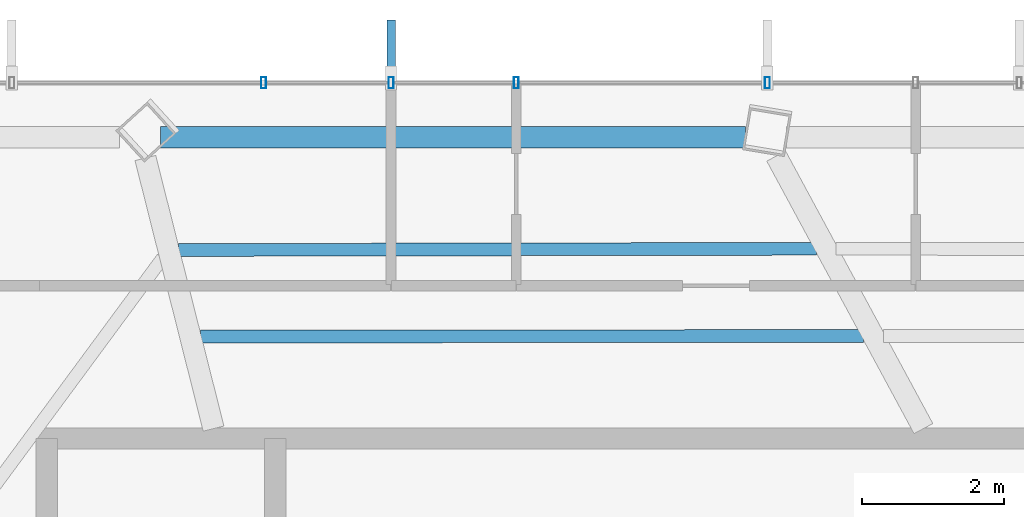
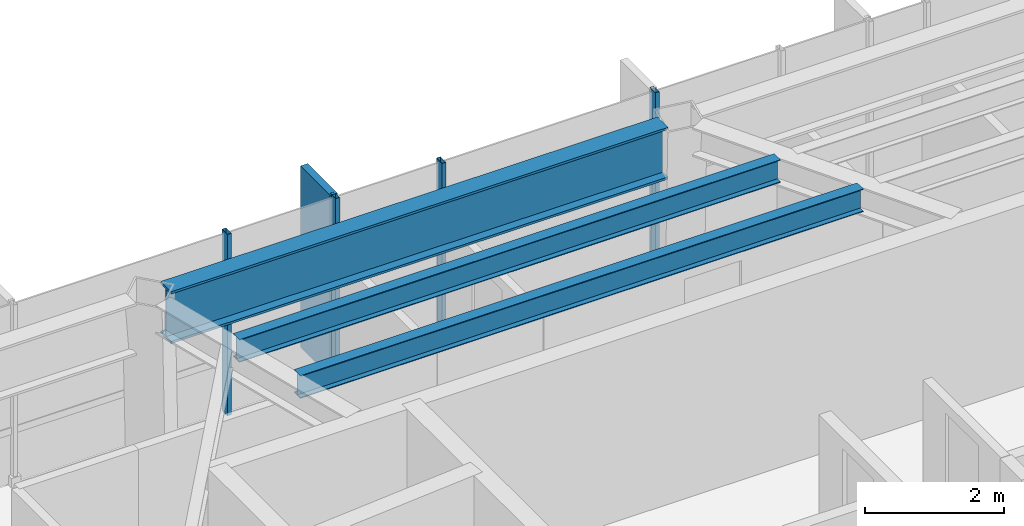
# One storey, part 13 of 27: 5 members, 3 beams, 1 element without a shape of its own.
"""IFC4 building model written with IfcOpenShell, lengths in metres."""

from ifc_helpers import new_model, si_unit, direction, frame, origin, origin_2d, place, context, subcontext, project, spatial, rectangle, hollow_rectangle, i_section, extrude, material, layer, layer_set, material_profile, profile_set, type_object, element, aggregate, save


model = new_model("IFC4")

# Units and contexts
model_context = context("Model", 3, precision=1e-05, world=origin(), true_north=direction((0.0, 1.0)))
body_context = subcontext(model_context, "Body", "Model", "MODEL_VIEW")
ifc_project = project(units=[si_unit("LENGTHUNIT", "METRE"), si_unit("AREAUNIT", "SQUARE_METRE"), si_unit("VOLUMEUNIT", "CUBIC_METRE"), si_unit("PLANEANGLEUNIT", "RADIAN"), si_unit("MASSUNIT", "GRAM", prefix="KILO")], contexts=[model_context])

# Site, building, storey
site_placement = place(None, origin())
site = spatial("IfcSite", under=ifc_project, at=site_placement, CompositionType="ELEMENT")
building_placement = place(site_placement, origin())
building = spatial("IfcBuilding", under=site, at=building_placement, Name="Zarrinselat Tower", CompositionType="ELEMENT")
storey_placement = place(building_placement, frame((0.0, 0.0, 215.56005859375)))
storey = spatial("IfcBuildingStorey", under=building, at=storey_placement, Name="L53", CompositionType="ELEMENT", Elevation=215.56005859375)

# Beams
ifc_material_1 = material(Name="Steel S460M", Category="steel")
ifc_material_profile_1 = material_profile(ifc_material_1, i_section(OverallWidth=0.302001953125, OverallDepth=0.909912109375, WebThickness=0.02099609375, FlangeThickness=0.0400390625, at=origin_2d()), Name="HEM 900")
ifc_profile_set_1 = profile_set([ifc_material_profile_1], Name="Steel S460M")
beam_type_1 = type_object("IfcBeamType", Name="BM-HEM900", PredefinedType="BEAM", material=ifc_profile_set_1)
beam_1_placement = place(storey_placement, frame((30.25341796875, 47.644287109375, 2.724853515625), z_axis=(1.0, 0.0, 0.0), x_axis=(0.0, 1.0, 0.0)))
element("IfcBeam", 1, at=beam_1_placement, inside=storey, type_object=beam_type_1, Name="L53 Perimeter Spandrel Girder SP03", PredefinedType="BEAM", context=body_context, shape_type="SweptSolid", body=[
    extrude(i_section(OverallWidth=0.302001953125, OverallDepth=0.909912109375, WebThickness=0.02099609375, FlangeThickness=0.0400390625, at=origin_2d()), origin(), (0.0, 0.0, 1.0), 8.240966796875),
])
ifc_material_2 = material(Name="Steel S355J2", Category="steel")
ifc_material_profile_2 = material_profile(ifc_material_2, i_section(OverallWidth=0.179931640625, OverallDepth=0.39990234375, WebThickness=0.008544921875, FlangeThickness=0.013427734375, at=origin_2d()), Name="IPE 400")
ifc_profile_set_2 = profile_set([ifc_material_profile_2], Name="Steel S355J2")
beam_type_2 = type_object("IfcBeamType", Name="BM-IPE400", PredefinedType="JOIST", material=ifc_profile_set_2)
beam_2_placement = place(storey_placement, frame((30.505859375, 46.055908203125, 2.97998046875), z_axis=(0.999998139218, 0.001929134547, 0.0), x_axis=(-0.001929134547, 0.999998139218, 0.0)))
element("IfcBeam", 2, at=beam_2_placement, inside=storey, type_object=beam_type_2, Name="L53 Composite Floor Joist 8-1", PredefinedType="JOIST", context=body_context, shape_type="SweptSolid", body=[
    extrude(i_section(OverallWidth=0.179931640625, OverallDepth=0.39990234375, WebThickness=0.008544921875, FlangeThickness=0.013427734375, at=origin_2d()), origin(), (0.0, 0.0, 1.0), 8.9853515625),
])
beam_3_placement = place(storey_placement, frame((30.8134765625, 44.836181640625, 2.97998046875), z_axis=(0.999999557371, 0.000940880876, 0.0), x_axis=(-0.000940880876, 0.999999557371, 0.0)))
element("IfcBeam", 3, at=beam_3_placement, inside=storey, type_object=beam_type_2, Name="L53 Composite Floor Joist 8-2", PredefinedType="JOIST", context=body_context, shape_type="SweptSolid", body=[
    extrude(i_section(OverallWidth=0.179931640625, OverallDepth=0.39990234375, WebThickness=0.008544921875, FlangeThickness=0.013427734375, at=origin_2d()), origin(), (0.0, 0.0, 1.0), 9.34130859375),
])

# Curtain wall, members
ifc_material_3 = material(Name="Extruded Aluminium Alloy EN AW-6063 T6", Category="aluminium")
ifc_layer = layer(ifc_material_3, 0.169921875)
ifc_layer_set = layer_set([ifc_layer], Name="Extruded Aluminium Alloy EN AW-6063 T6")
curtain_wall_type = type_object("IfcCurtainWallType", Name="CWS-RES", PredefinedType="NOTDEFINED", material=ifc_layer_set)
curtain_wall_placement = place(storey_placement, origin())
curtain_wall = element("IfcCurtainWall", 4, at=curtain_wall_placement, inside=storey, type_object=curtain_wall_type, Name="L53 Unitised Curtain Wall CW-L53-E01", PredefinedType="NOTDEFINED")
ifc_material_4 = material(Name="Extruded Aluminium Alloy EN AW-6063 T6", Category="aluminium")
ifc_material_profile_3 = material_profile(ifc_material_4, hollow_rectangle(XDim=0.070068359375, YDim=0.159912109375, WallThickness=0.00390625, at=origin_2d()), Name="RHS 160x70x4")
ifc_profile_set_3 = profile_set([ifc_material_profile_3], Name="Extruded Aluminium Alloy EN AW-6063 T6")
member_type_1 = type_object("IfcMemberType", Name="MEM-CW-MUL2", PredefinedType="MULLION", material=ifc_profile_set_3)
member_1_placement = place(storey_placement, frame((38.802001953125, 48.4111328125, 0.0), z_axis=(0.0, 0.0, 1.0), x_axis=(-1.0, 0.0, 0.0)))
member_1 = element("IfcMember", 5, at=member_1_placement, type_object=member_type_1, Name="CW-L53-E01 Mullion 7", PredefinedType="MULLION", context=body_context, shape_type="SweptSolid", body=[
    extrude(hollow_rectangle(XDim=0.070068359375, YDim=0.159912109375, WallThickness=0.00390625, at=origin_2d()), origin(), (0.0, 0.0, 1.0), 3.179931640625),
])
member_2_placement = place(storey_placement, frame((35.263916015625, 48.4111328125, 0.0), z_axis=(0.0, 0.0, 1.0), x_axis=(-1.0, 0.0, 0.0)))
member_2 = element("IfcMember", 6, at=member_2_placement, type_object=member_type_1, Name="CW-L53-E01 Mullion 8", PredefinedType="MULLION", context=body_context, shape_type="SweptSolid", body=[
    extrude(hollow_rectangle(XDim=0.070068359375, YDim=0.159912109375, WallThickness=0.00390625, at=origin_2d()), origin(), (0.0, 0.0, 1.0), 3.179931640625),
])
member_3_placement = place(storey_placement, frame((33.5, 48.4111328125, 0.0), z_axis=(0.0, 0.0, 1.0), x_axis=(-1.0, 0.0, 0.0)))
member_3 = element("IfcMember", 7, at=member_3_placement, type_object=member_type_1, Name="CW-L53-E01 Mullion 9", PredefinedType="MULLION", context=body_context, shape_type="SweptSolid", body=[
    extrude(hollow_rectangle(XDim=0.070068359375, YDim=0.159912109375, WallThickness=0.00390625, at=origin_2d()), origin(), (0.0, 0.0, 1.0), 3.179931640625),
])
member_4_placement = place(storey_placement, frame((31.706298828125, 48.4111328125, 0.0), z_axis=(0.0, 0.0, 1.0), x_axis=(-1.0, 0.0, 0.0)))
member_4 = element("IfcMember", 8, at=member_4_placement, type_object=member_type_1, Name="CW-L53-E01 Mullion 10", PredefinedType="MULLION", context=body_context, shape_type="SweptSolid", body=[
    extrude(hollow_rectangle(XDim=0.070068359375, YDim=0.159912109375, WallThickness=0.00390625, at=origin_2d()), origin(), (0.0, 0.0, 1.0), 3.179931640625),
])
ifc_material_5 = material(Name="Honed Cream Travertine Stone", Category="masonry")
ifc_material_profile_4 = material_profile(ifc_material_5, rectangle(XDim=0.1201171875, YDim=0.85009765625, at=origin_2d()), Name="FIN 850x120")
ifc_profile_set_4 = profile_set([ifc_material_profile_4], Name="Honed Cream Travertine Stone")
member_type_2 = type_object("IfcMemberType", Name="MEM-STONE-FIN", PredefinedType="USERDEFINED", material=ifc_profile_set_4)
member_5_placement = place(storey_placement, frame((33.5, 48.87109375, 0.0), z_axis=(0.0, 0.0, 1.0), x_axis=(1.0, 0.0, 0.0)))
member_5 = element("IfcMember", 9, at=member_5_placement, type_object=member_type_2, Name="L53 Stone Shading Fin CW-L53-E01-09", ObjectType="FIN", PredefinedType="USERDEFINED", context=body_context, shape_type="SweptSolid", body=[
    extrude(rectangle(XDim=0.1201171875, YDim=0.85009765625, at=origin_2d()), origin(), (0.0, 0.0, 1.0), 3.179931640625),
])
aggregate(curtain_wall, [member_1, member_2, member_3, member_5, member_4])

save(model, "model.ifc")
